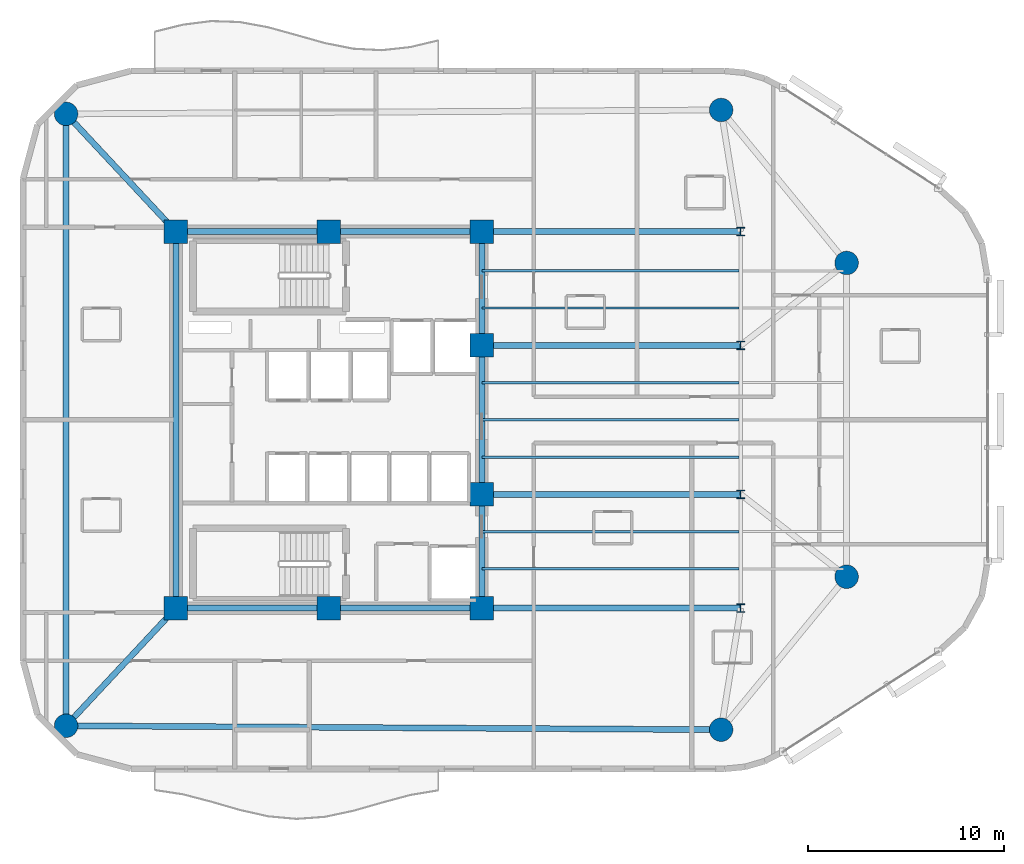
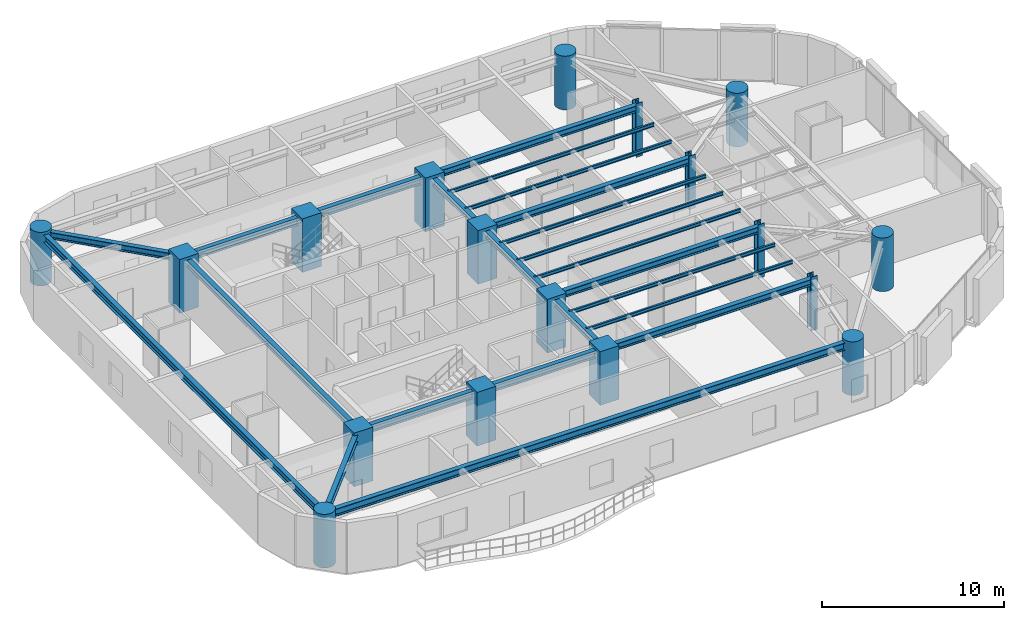
# One storey, part 1 of 15: 21 beams, 18 columns.
"""IFC4 building model written with IfcOpenShell, lengths in metres."""

import ifcopenshell
import ifcopenshell.guid

model = None  # the IFC model being written
_history = None  # IfcOwnerHistory: only IFC2X3 demands one
_inside = {}  # id of a spatial element -> (the spatial element, [elements in it])
_under = {}  # id of a project, library or spatial element -> (it, [spatial elements below it])
_declared = {}  # id of a project -> (the project, [libraries it declares])
_typed = {}  # id of a type object -> (the type object, [elements of that type])
_made_of = {}  # id of a material, layer set ... -> (it, [elements and type objects made of it])


def new_model(schema):
    """Start an empty IFC model of exactly this schema.

    Asked for "IFC4X3", IfcOpenShell would pick the latest addendum, in which some entities
    have other attributes; the version numbers below select the first issue.
    IFC2X3 requires an IfcOwnerHistory on every rooted entity: one is made here for all.
    """
    global model, _history
    if schema == "IFC4X3":
        model = ifcopenshell.file(schema_version=(4, 3, 0, 0))
    else:
        model = ifcopenshell.file(schema=schema)
    _inside.clear()
    _under.clear()
    _declared.clear()
    _typed.clear()
    _made_of.clear()
    _history = None
    if model.schema == "IFC2X3":
        org = make("IfcOrganization", Name="unknown")
        user = make(
            "IfcPersonAndOrganization",
            ThePerson=make("IfcPerson", FamilyName="unknown"),
            TheOrganization=org,
        )
        app = make(
            "IfcApplication",
            ApplicationDeveloper=org,
            Version="unknown",
            ApplicationFullName="unknown",
            ApplicationIdentifier="unknown",
        )
        _history = make(
            "IfcOwnerHistory",
            OwningUser=user,
            OwningApplication=app,
            ChangeAction="ADDED",
            CreationDate=0,
        )
    return model


def make(cls, **values):
    """One entity of the class cls with the attributes given. An attribute that is None is left unset."""
    return model.create_entity(
        cls, **{name: value for name, value in values.items() if value is not None}
    )


def rooted(cls, **values):
    """An entity with a GlobalId (a new one), such as an element, a storey or a relation."""
    return make(cls, GlobalId=ifcopenshell.guid.new(), OwnerHistory=_history, **values)


def si_unit(unit_type, name, prefix=None):
    """IfcSIUnit, for example si_unit("LENGTHUNIT", "METRE", prefix="MILLI")."""
    return make("IfcSIUnit", UnitType=unit_type, Prefix=prefix, Name=name)


def assignment(units):
    """IfcUnitAssignment: the units of a project."""
    return None if units is None else make("IfcUnitAssignment", Units=units)


def point(xyz):
    """IfcCartesianPoint."""
    return None if xyz is None else make("IfcCartesianPoint", Coordinates=xyz)


def direction(xyz):
    """IfcDirection."""
    return None if xyz is None else make("IfcDirection", DirectionRatios=xyz)


def frame(location, z_axis=None, x_axis=None):
    """IfcAxis2Placement3D, a coordinate frame: its origin and axes. An axis left out is left unset."""
    return make(
        "IfcAxis2Placement3D",
        Location=point(location),
        Axis=direction(z_axis),
        RefDirection=direction(x_axis),
    )


def frame_2d(location, x_axis=None):
    """IfcAxis2Placement2D, a coordinate frame in the plane: its origin and x axis."""
    return make(
        "IfcAxis2Placement2D", Location=point(location), RefDirection=direction(x_axis)
    )


def origin():
    """The frame at (0, 0, 0) with its axes left unset."""
    return frame((0.0, 0.0, 0.0))


def origin_2d():
    """The frame at (0, 0) in the plane with its x axis left unset."""
    return frame_2d((0.0, 0.0))


def place(relative_to, where):
    """IfcLocalPlacement: puts the frame where relative to a parent placement (None: the world)."""
    return make(
        "IfcLocalPlacement", PlacementRelTo=relative_to, RelativePlacement=where
    )


def context(
    kind, dimensions, precision=None, world=None, true_north=None, identifier=None
):
    """IfcGeometricRepresentationContext, for example the 3D "Model" context."""
    return make(
        "IfcGeometricRepresentationContext",
        ContextIdentifier=identifier,
        ContextType=kind,
        CoordinateSpaceDimension=dimensions,
        Precision=precision,
        WorldCoordinateSystem=world,
        TrueNorth=true_north,
    )


def subcontext(parent, identifier, kind, view, scale=None):
    """IfcGeometricRepresentationSubContext, for example "Body" below "Model"."""
    return make(
        "IfcGeometricRepresentationSubContext",
        ContextIdentifier=identifier,
        ContextType=kind,
        ParentContext=parent,
        TargetScale=scale,
        TargetView=view,
    )


def project(units=None, contexts=None):
    """IfcProject with its units and contexts."""
    return rooted(
        "IfcProject",
        Name="project",
        RepresentationContexts=contexts,
        UnitsInContext=assignment(units),
    )


def spatial(cls, under=None, at=None, **own):
    """A site, building, storey or space (cls), placed at a placement, below another one or the project."""
    s = rooted(cls, ObjectPlacement=at, **own)
    if under is not None:
        _under.setdefault(under.id(), (under, []))[1].append(s)
    return s


def profile(cls, at=None, kind="AREA", **sizes):
    """A parametric profile (cls). Its sizes go by their IFC names, for example OverallWidth=200.0."""
    return make(cls, ProfileType=kind, Position=at, **sizes)


def rectangle(**sizes):
    """IfcRectangleProfileDef."""
    return profile("IfcRectangleProfileDef", **sizes)


def circle(**sizes):
    """IfcCircleProfileDef."""
    return profile("IfcCircleProfileDef", **sizes)


def i_section(**sizes):
    """IfcIShapeProfileDef."""
    return profile("IfcIShapeProfileDef", **sizes)


def extrude(swept, where, along, depth):
    """IfcExtrudedAreaSolid: the profile swept, set in the frame where, extruded along a direction by depth."""
    return make(
        "IfcExtrudedAreaSolid",
        SweptArea=swept,
        Position=where,
        ExtrudedDirection=direction(along),
        Depth=depth,
    )


def shape(context_of_items, identifier, shape_type, items):
    """IfcShapeRepresentation: the items that make up one representation, for example the "Body"."""
    return make(
        "IfcShapeRepresentation",
        ContextOfItems=context_of_items,
        RepresentationIdentifier=identifier,
        RepresentationType=shape_type,
        Items=items,
    )


def material(Name=None, Category=None):
    """IfcMaterial."""
    return make("IfcMaterial", Name=Name, Category=Category)


def material_profile(
    of_material, cross_section, Name=None, Category=None, Priority=None
):
    """IfcMaterialProfile: a cross section and its material."""
    return make(
        "IfcMaterialProfile",
        Name=Name,
        Material=of_material,
        Profile=cross_section,
        Priority=Priority,
        Category=Category,
    )


def profile_set(profiles, Name=None, composite=None):
    """IfcMaterialProfileSet."""
    return make(
        "IfcMaterialProfileSet",
        Name=Name,
        MaterialProfiles=profiles,
        CompositeProfile=composite,
    )


def made_of(thing, what):
    """Note that an element or type object is made of a material, layer set ...; save() writes the relation."""
    if what is not None:
        _made_of.setdefault(what.id(), (what, []))[1].append(thing)
    return thing


def type_object(cls, material=None, **own):
    """A type object (cls), such as IfcWallType, which elements share."""
    return made_of(rooted(cls, **own), material)


def element(
    cls,
    number,
    at=None,
    inside=None,
    cuts=None,
    type_object=None,
    material=None,
    context=None,
    identifier="Body",
    shape_type=None,
    held_by="IfcProductDefinitionShape",
    body=None,
    shapes=None,
    **own,
):
    """One element of the class cls, such as IfcWall. Its Tag is "e" and its number.

    at: its placement. inside: the storey or other place that contains it. cuts: it is an
    opening in that element (IfcRelVoidsElement). A single representation is given by context,
    identifier, shape_type and body (its items); several are given by shapes. held_by: the class
    of the entity that holds the representations. save() writes the other relations.
    """
    e = rooted(cls, Tag="e%d" % number, ObjectPlacement=at, **own)
    if body is not None:
        shapes = [shape(context, identifier, shape_type, body)]
    if shapes is not None:
        e.Representation = make(held_by, Representations=shapes)
    if inside is not None:
        _inside.setdefault(inside.id(), (inside, []))[1].append(e)
    if cuts is not None:
        rooted(
            "IfcRelVoidsElement", RelatingBuildingElement=cuts, RelatedOpeningElement=e
        )
    if type_object is not None:
        _typed.setdefault(type_object.id(), (type_object, []))[1].append(e)
    return made_of(e, material)


def aggregate(whole, parts):
    """IfcRelAggregates: a whole, such as a stair, and the parts it consists of."""
    return rooted("IfcRelAggregates", RelatingObject=whole, RelatedObjects=parts)


def save(model, path):
    """Write the relations noted so far, then the file.

    IfcRelAggregates (storeys below a building ...), IfcRelContainedInSpatialStructure (elements
    in a storey), IfcRelDefinesByType, IfcRelAssociatesMaterial and IfcRelDeclares: one each for
    every whole, place, type object, material and project.
    """
    for whole, parts in _under.values():
        aggregate(whole, parts)
    for where, things in _inside.values():
        rooted(
            "IfcRelContainedInSpatialStructure",
            RelatedElements=things,
            RelatingStructure=where,
        )
    for kind, things in _typed.values():
        rooted("IfcRelDefinesByType", RelatedObjects=things, RelatingType=kind)
    for what, things in _made_of.values():
        rooted("IfcRelAssociatesMaterial", RelatedObjects=things, RelatingMaterial=what)
    for by, libraries in _declared.values():
        rooted("IfcRelDeclares", RelatingContext=by, RelatedDefinitions=libraries)
    model.write(path)


model = new_model("IFC4")

# Units and contexts
model_context = context("Model", 3, precision=1e-05, world=origin(), true_north=direction((0.0, 1.0)))
body_context = subcontext(model_context, "Body", "Model", "MODEL_VIEW")
ifc_project = project(units=[si_unit("LENGTHUNIT", "METRE"), si_unit("AREAUNIT", "SQUARE_METRE"), si_unit("VOLUMEUNIT", "CUBIC_METRE"), si_unit("PLANEANGLEUNIT", "RADIAN"), si_unit("MASSUNIT", "GRAM", prefix="KILO")], contexts=[model_context])

# Site, building, storey
site_placement = place(None, origin())
site = spatial("IfcSite", under=ifc_project, at=site_placement, CompositionType="ELEMENT")
building_placement = place(site_placement, origin())
building = spatial("IfcBuilding", under=site, at=building_placement, Name="An Khanh Terracotta Commons", CompositionType="ELEMENT")
storey_placement = place(building_placement, frame((0.0, 0.0, 143.800048828125)))
storey = spatial("IfcBuildingStorey", under=building, at=storey_placement, Name="L37", CompositionType="ELEMENT", Elevation=143.800048828125)

# Columns
ifc_material_1 = material(Name="Concrete C60/75", Category="concrete")
ifc_material_profile_1 = material_profile(ifc_material_1, circle(Radius=0.60009765625, at=origin_2d()), Name="CFST1200")
ifc_profile_set_1 = profile_set([ifc_material_profile_1], Name="Concrete C60/75")
column_type_1 = type_object("IfcColumnType", Name="COL-CFST1200", PredefinedType="COLUMN", material=ifc_profile_set_1)
for number, where, z_axis, x_axis, name in (
    (1, (16.0, 8.39990234375, 0.0), (0.0, 0.0, 1.0), (1.0, 0.0, 0.0), "L37 Perimeter CFST Mega-Column MC-01"),
    (2, (49.39990234375, 8.199951171875, 0.0), (0.0, 0.0, 1.0), (1.0, 0.0, 0.0), "L37 Perimeter CFST Mega-Column MC-02"),
    (3, (55.800048828125, 16.0, 0.0), (0.0, 0.0, 1.0), (1.0, 0.0, 0.0), "L37 Perimeter CFST Mega-Column MC-03"),
    (4, (55.800048828125, 32.0, 0.0), (0.0, 0.0, 1.0), (1.0, 0.0, 0.0), "L37 Perimeter CFST Mega-Column MC-04"),
    (5, (49.39990234375, 39.800048828125, 0.0), (0.0, 0.0, 1.0), (1.0, 0.0, 0.0), "L37 Perimeter CFST Mega-Column MC-05"),
    (6, (16.0, 39.60009765625, 0.0), (0.0, 0.0, 1.0), (1.0, 0.0, 0.0), "L37 Perimeter CFST Mega-Column MC-06"),
):
    element("IfcColumn", number, at=place(storey_placement, frame(where, z_axis=z_axis, x_axis=x_axis)), inside=storey, type_object=column_type_1, Name=name, PredefinedType="COLUMN", context=body_context, shape_type="SweptSolid", body=[
        extrude(circle(Radius=0.60009765625, at=origin_2d()), origin(), (0.0, 0.0, 1.0), 3.599853515625),
    ])
ifc_material_2 = material(Name="Steel S460ML", Category="steel")
ifc_material_profile_2 = material_profile(ifc_material_2, i_section(OverallWidth=0.406005859375, OverallDepth=0.43994140625, WebThickness=0.02392578125, FlangeThickness=0.0390625, FilletRadius=0.014892578125, at=origin_2d()), Name="HD400x314")
ifc_profile_set_2 = profile_set([ifc_material_profile_2], Name="Steel S460ML")
column_type_2 = type_object("IfcColumnType", Name="COL-HD400x314", PredefinedType="COLUMN", material=ifc_profile_set_2)
for number, where, z_axis, x_axis, name in (
    (7, (50.39990234375, 14.39990234375, 0.0), (0.0, 0.0, 1.0), (1.0, 0.0, 0.0), "L37 Interior Frame Column TC-01"),
    (8, (50.39990234375, 20.199951171875, 0.0), (0.0, 0.0, 1.0), (1.0, 0.0, 0.0), "L37 Interior Frame Column TC-02"),
    (9, (50.39990234375, 27.800048828125, 0.0), (0.0, 0.0, 1.0), (1.0, 0.0, 0.0), "L37 Interior Frame Column TC-03"),
    (10, (50.39990234375, 33.60009765625, 0.0), (0.0, 0.0, 1.0), (1.0, 0.0, 0.0), "L37 Interior Frame Column TC-04"),
):
    element("IfcColumn", number, at=place(storey_placement, frame(where, z_axis=z_axis, x_axis=x_axis)), inside=storey, type_object=column_type_2, Name=name, PredefinedType="COLUMN", context=body_context, shape_type="SweptSolid", body=[
        extrude(i_section(OverallWidth=0.406005859375, OverallDepth=0.43994140625, WebThickness=0.02392578125, FlangeThickness=0.0390625, FilletRadius=0.014892578125, at=origin_2d()), origin(), (0.0, 0.0, 1.0), 3.599853515625),
    ])
ifc_material_profile_3 = material_profile(ifc_material_1, rectangle(XDim=1.199951171875, YDim=1.199951171875, at=origin_2d()), Name="RC1200x1200")
ifc_profile_set_3 = profile_set([ifc_material_profile_3], Name="Concrete C60/75")
column_type_3 = type_object("IfcColumnType", Name="COL-RC1200x1200", PredefinedType="COLUMN", material=ifc_profile_set_3)
for number, where, z_axis, x_axis, name in (
    (11, (21.60009765625, 14.39990234375, 0.0), (0.0, 0.0, 1.0), (1.0, 0.0, 0.0), "L37 Core Boundary Column CC-01"),
    (12, (29.39990234375, 14.39990234375, 0.0), (0.0, 0.0, 1.0), (1.0, 0.0, 0.0), "L37 Core Boundary Column CC-02"),
    (13, (37.199951171875, 14.39990234375, 0.0), (0.0, 0.0, 1.0), (1.0, 0.0, 0.0), "L37 Core Boundary Column CC-03"),
    (14, (37.199951171875, 20.199951171875, 0.0), (0.0, 0.0, 1.0), (1.0, 0.0, 0.0), "L37 Core Boundary Column CC-04"),
    (15, (37.199951171875, 27.800048828125, 0.0), (0.0, 0.0, 1.0), (1.0, 0.0, 0.0), "L37 Core Boundary Column CC-05"),
    (16, (37.199951171875, 33.60009765625, 0.0), (0.0, 0.0, 1.0), (1.0, 0.0, 0.0), "L37 Core Boundary Column CC-06"),
    (17, (29.39990234375, 33.60009765625, 0.0), (0.0, 0.0, 1.0), (1.0, 0.0, 0.0), "L37 Core Boundary Column CC-07"),
    (18, (21.60009765625, 33.60009765625, 0.0), (0.0, 0.0, 1.0), (1.0, 0.0, 0.0), "L37 Core Boundary Column CC-08"),
):
    element("IfcColumn", number, at=place(storey_placement, frame(where, z_axis=z_axis, x_axis=x_axis)), inside=storey, type_object=column_type_3, Name=name, PredefinedType="COLUMN", context=body_context, shape_type="SweptSolid", body=[
        extrude(rectangle(XDim=1.199951171875, YDim=1.199951171875, at=origin_2d()), origin(), (0.0, 0.0, 1.0), 3.599853515625),
    ])

# Beams
ifc_material_3 = material(Name="Steel S355J2", Category="steel")
ifc_material_profile_4 = material_profile(ifc_material_3, i_section(OverallWidth=0.300048828125, OverallDepth=0.449951171875, WebThickness=0.013916015625, FlangeThickness=0.02587890625, FilletRadius=0.027099609375, at=origin_2d()), Name="HEB450")
ifc_profile_set_4 = profile_set([ifc_material_profile_4], Name="Steel S355J2")
beam_type_1 = type_object("IfcBeamType", Name="BM-HEB450", PredefinedType="BEAM", material=ifc_profile_set_4)
beam_1_placement = place(storey_placement, frame((37.199951171875, 14.39990234375, 3.175048828125), z_axis=(0.0, 1.0, 0.0), x_axis=(-1.0, 0.0, 0.0)))
element("IfcBeam", 19, at=beam_1_placement, inside=storey, type_object=beam_type_1, Name="L37 Core East Coupling Girder 1", PredefinedType="BEAM", context=body_context, shape_type="SweptSolid", body=[
    extrude(i_section(OverallWidth=0.300048828125, OverallDepth=0.449951171875, WebThickness=0.013916015625, FlangeThickness=0.02587890625, FilletRadius=0.027099609375, at=origin_2d()), origin(), (0.0, 0.0, 1.0), 5.800048828125),
])
beam_2_placement = place(storey_placement, frame((37.199951171875, 20.199951171875, 3.175048828125), z_axis=(0.0, 1.0, 0.0), x_axis=(-1.0, 0.0, 0.0)))
element("IfcBeam", 20, at=beam_2_placement, inside=storey, type_object=beam_type_1, Name="L37 Core East Coupling Girder 2", PredefinedType="BEAM", context=body_context, shape_type="SweptSolid", body=[
    extrude(i_section(OverallWidth=0.300048828125, OverallDepth=0.449951171875, WebThickness=0.013916015625, FlangeThickness=0.02587890625, FilletRadius=0.027099609375, at=origin_2d()), origin(), (0.0, 0.0, 1.0), 7.60009765625),
])
beam_3_placement = place(storey_placement, frame((37.199951171875, 27.800048828125, 3.175048828125), z_axis=(0.0, 1.0, 0.0), x_axis=(-1.0, 0.0, 0.0)))
element("IfcBeam", 21, at=beam_3_placement, inside=storey, type_object=beam_type_1, Name="L37 Core East Coupling Girder 3", PredefinedType="BEAM", context=body_context, shape_type="SweptSolid", body=[
    extrude(i_section(OverallWidth=0.300048828125, OverallDepth=0.449951171875, WebThickness=0.013916015625, FlangeThickness=0.02587890625, FilletRadius=0.027099609375, at=origin_2d()), origin(), (0.0, 0.0, 1.0), 5.800048828125),
])
beam_4_placement = place(storey_placement, frame((21.60009765625, 14.39990234375, 3.175048828125), z_axis=(0.0, 1.0, 0.0), x_axis=(-1.0, 0.0, 0.0)))
element("IfcBeam", 22, at=beam_4_placement, inside=storey, type_object=beam_type_1, Name="L37 Core West Coupling Girder", PredefinedType="BEAM", context=body_context, shape_type="SweptSolid", body=[
    extrude(i_section(OverallWidth=0.300048828125, OverallDepth=0.449951171875, WebThickness=0.013916015625, FlangeThickness=0.02587890625, FilletRadius=0.027099609375, at=origin_2d()), origin(), (0.0, 0.0, 1.0), 19.2001953125),
])
for number, where, z_axis, x_axis, name in (
    (23, (37.199951171875, 14.39990234375, 3.175048828125), (1.0, 0.0, 0.0), (0.0, 1.0, 0.0), "L37 East Primary Floor Girder 1"),
    (24, (37.199951171875, 20.199951171875, 3.175048828125), (1.0, 0.0, 0.0), (0.0, 1.0, 0.0), "L37 East Primary Floor Girder 2"),
    (25, (37.199951171875, 27.800048828125, 3.175048828125), (1.0, 0.0, 0.0), (0.0, 1.0, 0.0), "L37 East Primary Floor Girder 3"),
    (26, (37.199951171875, 33.60009765625, 3.175048828125), (1.0, 0.0, 0.0), (0.0, 1.0, 0.0), "L37 East Primary Floor Girder 4"),
):
    element("IfcBeam", number, at=place(storey_placement, frame(where, z_axis=z_axis, x_axis=x_axis)), inside=storey, type_object=beam_type_1, Name=name, PredefinedType="BEAM", context=body_context, shape_type="SweptSolid", body=[
        extrude(i_section(OverallWidth=0.300048828125, OverallDepth=0.449951171875, WebThickness=0.013916015625, FlangeThickness=0.02587890625, FilletRadius=0.027099609375, at=origin_2d()), origin(), (0.0, 0.0, 1.0), 13.199951171875),
    ])
for number, where, z_axis, x_axis, name in (
    (27, (16.0, 8.39990234375, 3.175048828125), (0.682324609438, 0.731049333052, 0.0), (-0.731049333052, 0.682324609438, 0.0), "L37 Mega-Column Tie Girder 1"),
    (28, (16.0, 39.60009765625, 3.175048828125), (0.682324609438, -0.731049333052, 0.0), (0.731049333052, 0.682324609438, 0.0), "L37 Mega-Column Tie Girder 6"),
):
    element("IfcBeam", number, at=place(storey_placement, frame(where, z_axis=z_axis, x_axis=x_axis)), inside=storey, type_object=beam_type_1, Name=name, PredefinedType="BEAM", context=body_context, shape_type="SweptSolid", body=[
        extrude(i_section(OverallWidth=0.300048828125, OverallDepth=0.449951171875, WebThickness=0.013916015625, FlangeThickness=0.02587890625, FilletRadius=0.027099609375, at=origin_2d()), origin(), (0.0, 0.0, 1.0), 8.207275390625),
    ])
ifc_material_profile_5 = material_profile(ifc_material_3, i_section(OverallWidth=0.300048828125, OverallDepth=0.5, WebThickness=0.014404296875, FlangeThickness=0.028076171875, FilletRadius=0.027099609375, at=origin_2d()), Name="HEB500")
ifc_profile_set_5 = profile_set([ifc_material_profile_5], Name="Steel S355J2")
beam_type_2 = type_object("IfcBeamType", Name="BM-HEB500", PredefinedType="BEAM", material=ifc_profile_set_5)
for number, where, z_axis, x_axis, name in (
    (29, (21.60009765625, 14.39990234375, 3.14990234375), (1.0, 0.0, 0.0), (0.0, 1.0, 0.0), "L37 Core South Coupling Girder"),
    (30, (21.60009765625, 33.60009765625, 3.14990234375), (1.0, 0.0, 0.0), (0.0, 1.0, 0.0), "L37 Core North Coupling Girder"),
):
    element("IfcBeam", number, at=place(storey_placement, frame(where, z_axis=z_axis, x_axis=x_axis)), inside=storey, type_object=beam_type_2, Name=name, PredefinedType="BEAM", context=body_context, shape_type="SweptSolid", body=[
        extrude(i_section(OverallWidth=0.300048828125, OverallDepth=0.5, WebThickness=0.014404296875, FlangeThickness=0.028076171875, FilletRadius=0.027099609375, at=origin_2d()), origin(), (0.0, 0.0, 1.0), 15.599853515625),
    ])
beam_5_placement = place(storey_placement, frame((16.0, 8.39990234375, 3.14990234375), z_axis=(0.999982080914, -0.005986472262, 0.0), x_axis=(0.005986472262, 0.999982080914, 0.0)))
element("IfcBeam", 31, at=beam_5_placement, inside=storey, type_object=beam_type_2, Name="L37 Perimeter Ring Spandrel 1", PredefinedType="BEAM", context=body_context, shape_type="SweptSolid", body=[
    extrude(i_section(OverallWidth=0.300048828125, OverallDepth=0.5, WebThickness=0.014404296875, FlangeThickness=0.028076171875, FilletRadius=0.027099609375, at=origin_2d()), origin(), (0.0, 0.0, 1.0), 33.400390625),
])
beam_6_placement = place(storey_placement, frame((16.0, 39.60009765625, 3.14990234375), z_axis=(0.0, -1.0, 0.0), x_axis=(1.0, 0.0, 0.0)))
element("IfcBeam", 32, at=beam_6_placement, inside=storey, type_object=beam_type_2, Name="L37 Perimeter Ring Spandrel 6", PredefinedType="BEAM", context=body_context, shape_type="SweptSolid", body=[
    extrude(i_section(OverallWidth=0.300048828125, OverallDepth=0.5, WebThickness=0.014404296875, FlangeThickness=0.028076171875, FilletRadius=0.027099609375, at=origin_2d()), origin(), (0.0, 0.0, 1.0), 31.2001953125),
])
ifc_material_profile_6 = material_profile(ifc_material_3, i_section(OverallWidth=0.1201171875, OverallDepth=0.239990234375, WebThickness=0.006103515625, FlangeThickness=0.009765625, FilletRadius=0.014892578125, at=origin_2d()), Name="IPE240")
ifc_profile_set_6 = profile_set([ifc_material_profile_6], Name="Steel S355J2")
beam_type_3 = type_object("IfcBeamType", Name="BM-IPE240", PredefinedType="JOIST", material=ifc_profile_set_6)
for number, where, z_axis, x_axis, name in (
    (33, (37.199951171875, 16.39990234375, 3.280029296875), (1.0, 0.0, 0.0), (0.0, 1.0, 0.0), "L37 Inboard Composite Joist 1"),
    (34, (37.199951171875, 18.300048828125, 3.280029296875), (1.0, 0.0, 0.0), (0.0, 1.0, 0.0), "L37 Inboard Composite Joist 2"),
    (35, (37.199951171875, 22.10009765625, 3.280029296875), (1.0, 0.0, 0.0), (0.0, 1.0, 0.0), "L37 Inboard Composite Joist 3"),
    (36, (37.199951171875, 24.0, 3.280029296875), (1.0, 0.0, 0.0), (0.0, 1.0, 0.0), "L37 Inboard Composite Joist 4"),
    (37, (37.199951171875, 25.89990234375, 3.280029296875), (1.0, 0.0, 0.0), (0.0, 1.0, 0.0), "L37 Inboard Composite Joist 5"),
    (38, (37.199951171875, 29.699951171875, 3.280029296875), (1.0, 0.0, 0.0), (0.0, 1.0, 0.0), "L37 Inboard Composite Joist 6"),
    (39, (37.199951171875, 31.60009765625, 3.280029296875), (1.0, 0.0, 0.0), (0.0, 1.0, 0.0), "L37 Inboard Composite Joist 7"),
):
    element("IfcBeam", number, at=place(storey_placement, frame(where, z_axis=z_axis, x_axis=x_axis)), inside=storey, type_object=beam_type_3, Name=name, PredefinedType="JOIST", context=body_context, shape_type="SweptSolid", body=[
        extrude(i_section(OverallWidth=0.1201171875, OverallDepth=0.239990234375, WebThickness=0.006103515625, FlangeThickness=0.009765625, FilletRadius=0.014892578125, at=origin_2d()), origin(), (0.0, 0.0, 1.0), 13.10009765625),
    ])

save(model, "model.ifc")
